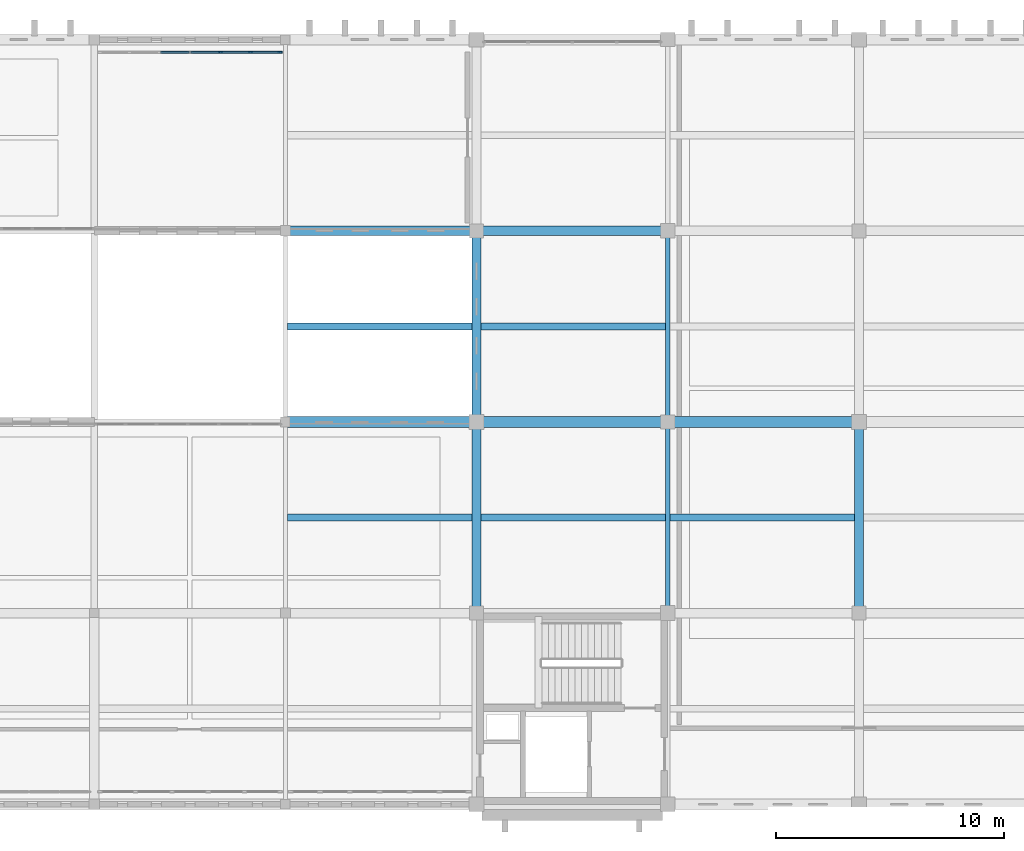
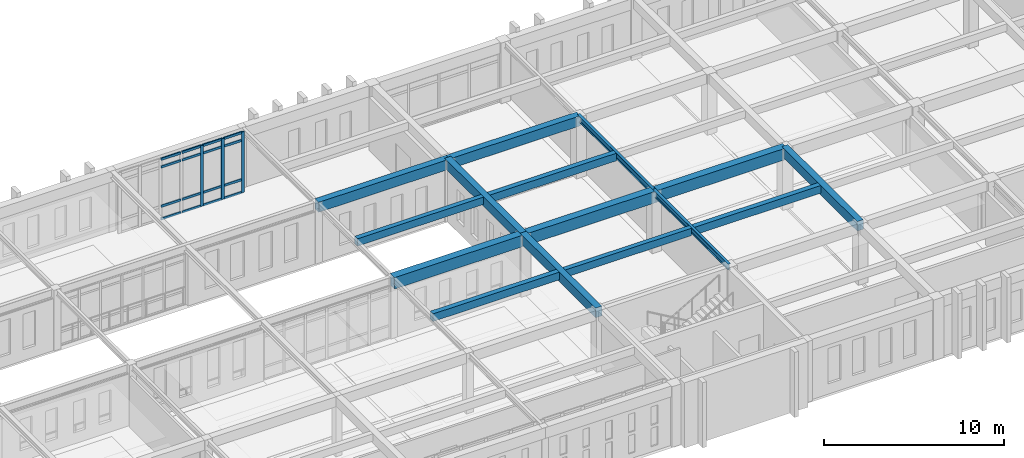
# One storey, part 97 of 192: 19 members, 15 beams, 1 element without a shape of its own.
"""IFC4 building model written with IfcOpenShell, lengths in metres."""

from ifc_helpers import new_model, si_unit, direction, frame, origin, origin_2d, place, context, subcontext, project, spatial, rectangle, i_section, extrude, material, layer, layer_set, material_profile, profile_set, type_object, element, aggregate, save


model = new_model("IFC4")

# Units and contexts
model_context = context("Model", 3, precision=1e-05, world=origin(), true_north=direction((0.0, 1.0)))
body_context = subcontext(model_context, "Body", "Model", "MODEL_VIEW")
ifc_project = project(units=[si_unit("LENGTHUNIT", "METRE"), si_unit("AREAUNIT", "SQUARE_METRE"), si_unit("VOLUMEUNIT", "CUBIC_METRE"), si_unit("PLANEANGLEUNIT", "RADIAN"), si_unit("MASSUNIT", "GRAM", prefix="KILO")], contexts=[model_context])

# Site, building, storey
site_placement = place(None, origin())
site = spatial("IfcSite", under=ifc_project, at=site_placement, CompositionType="ELEMENT")
building_placement = place(site_placement, origin())
building = spatial("IfcBuilding", under=site, at=building_placement, Name="Kveldsbrygga Polytechnic", CompositionType="ELEMENT")
storey_placement = place(building_placement, frame((0.0, 0.0, 5.43994140625)))
storey = spatial("IfcBuildingStorey", under=building, at=storey_placement, Name="L01", CompositionType="ELEMENT", Elevation=5.43994140625)

# Beams
ifc_material_1 = material(Name="Concrete C35/45", Category="concrete")
ifc_material_profile_1 = material_profile(ifc_material_1, rectangle(XDim=0.39990234375, YDim=0.64990234375, at=origin_2d()), Name="RC 400x650")
ifc_profile_set_1 = profile_set([ifc_material_profile_1], Name="Concrete C35/45")
beam_type_1 = type_object("IfcBeamType", Name="BM-RC-400x650", PredefinedType="BEAM", material=ifc_profile_set_1)
beam_1_placement = place(storey_placement, frame((100.800048828125, 92.39990234375, 3.795166015625), z_axis=(0.0, 1.0, 0.0), x_axis=(-1.0, 0.0, 0.0)))
element("IfcBeam", 1, at=beam_1_placement, inside=storey, type_object=beam_type_1, Name="Primary Beam BMY-L01-12-11to12", PredefinedType="BEAM", context=body_context, shape_type="SweptSolid", body=[
    extrude(rectangle(XDim=0.39990234375, YDim=0.64990234375, at=origin_2d()), origin(), (0.0, 0.0, 1.0), 8.400146484375),
])
beam_2_placement = place(storey_placement, frame((100.800048828125, 100.800048828125, 3.795166015625), z_axis=(0.0, 1.0, 0.0), x_axis=(-1.0, 0.0, 0.0)))
element("IfcBeam", 2, at=beam_2_placement, inside=storey, type_object=beam_type_1, Name="Primary Beam BMY-L01-12-12to13", PredefinedType="BEAM", context=body_context, shape_type="SweptSolid", body=[
    extrude(rectangle(XDim=0.39990234375, YDim=0.64990234375, at=origin_2d()), origin(), (0.0, 0.0, 1.0), 8.39990234375),
])
beam_3_placement = place(storey_placement, frame((117.60009765625, 92.39990234375, 3.795166015625), z_axis=(0.0, 1.0, 0.0), x_axis=(-1.0, 0.0, 0.0)))
element("IfcBeam", 3, at=beam_3_placement, inside=storey, type_object=beam_type_1, Name="Primary Beam BMY-L01-14-11to12", PredefinedType="BEAM", context=body_context, shape_type="SweptSolid", body=[
    extrude(rectangle(XDim=0.39990234375, YDim=0.64990234375, at=origin_2d()), origin(), (0.0, 0.0, 1.0), 8.400146484375),
])
ifc_material_profile_2 = material_profile(ifc_material_1, rectangle(XDim=0.419921875, YDim=0.679931640625, at=origin_2d()), Name="RC 420x680")
ifc_profile_set_2 = profile_set([ifc_material_profile_2], Name="Concrete C35/45")
beam_type_2 = type_object("IfcBeamType", Name="BM-RC-420x680", PredefinedType="BEAM", material=ifc_profile_set_2)
beam_4_placement = place(storey_placement, frame((92.39990234375, 109.199951171875, 3.780029296875), z_axis=(1.0, 0.0, 0.0), x_axis=(0.0, 1.0, 0.0)))
element("IfcBeam", 4, at=beam_4_placement, inside=storey, type_object=beam_type_2, Name="Primary Beam BMX-L01-11to12-13", PredefinedType="BEAM", context=body_context, shape_type="SweptSolid", body=[
    extrude(rectangle(XDim=0.419921875, YDim=0.679931640625, at=origin_2d()), origin(), (0.0, 0.0, 1.0), 8.400146484375),
])
beam_5_placement = place(storey_placement, frame((100.800048828125, 109.199951171875, 3.780029296875), z_axis=(1.0, 0.0, 0.0), x_axis=(0.0, 1.0, 0.0)))
element("IfcBeam", 5, at=beam_5_placement, inside=storey, type_object=beam_type_2, Name="Primary Beam BMX-L01-12to13-13", PredefinedType="BEAM", context=body_context, shape_type="SweptSolid", body=[
    extrude(rectangle(XDim=0.419921875, YDim=0.679931640625, at=origin_2d()), origin(), (0.0, 0.0, 1.0), 8.39990234375),
])
ifc_material_profile_3 = material_profile(ifc_material_1, rectangle(XDim=0.47998046875, YDim=0.780029296875, at=origin_2d()), Name="RC 480x780")
ifc_profile_set_3 = profile_set([ifc_material_profile_3], Name="Concrete C35/45")
beam_type_3 = type_object("IfcBeamType", Name="BM-RC-480x780", PredefinedType="BEAM", material=ifc_profile_set_3)
beam_6_placement = place(storey_placement, frame((92.39990234375, 100.800048828125, 3.72998046875), z_axis=(1.0, 0.0, 0.0), x_axis=(0.0, 1.0, 0.0)))
element("IfcBeam", 6, at=beam_6_placement, inside=storey, type_object=beam_type_3, Name="Primary Beam BMX-L01-11to12-12", PredefinedType="BEAM", context=body_context, shape_type="SweptSolid", body=[
    extrude(rectangle(XDim=0.47998046875, YDim=0.780029296875, at=origin_2d()), origin(), (0.0, 0.0, 1.0), 8.400146484375),
])
beam_7_placement = place(storey_placement, frame((100.800048828125, 100.800048828125, 3.72998046875), z_axis=(1.0, 0.0, 0.0), x_axis=(0.0, 1.0, 0.0)))
element("IfcBeam", 7, at=beam_7_placement, inside=storey, type_object=beam_type_3, Name="Primary Beam BMX-L01-12to13-12", PredefinedType="BEAM", context=body_context, shape_type="SweptSolid", body=[
    extrude(rectangle(XDim=0.47998046875, YDim=0.780029296875, at=origin_2d()), origin(), (0.0, 0.0, 1.0), 8.39990234375),
])
beam_8_placement = place(storey_placement, frame((109.199951171875, 100.800048828125, 3.72998046875), z_axis=(1.0, 0.0, 0.0), x_axis=(0.0, 1.0, 0.0)))
element("IfcBeam", 8, at=beam_8_placement, inside=storey, type_object=beam_type_3, Name="Primary Beam BMX-L01-13to14-12", PredefinedType="BEAM", context=body_context, shape_type="SweptSolid", body=[
    extrude(rectangle(XDim=0.47998046875, YDim=0.780029296875, at=origin_2d()), origin(), (0.0, 0.0, 1.0), 8.400146484375),
])
ifc_material_2 = material(Name="Steel S355", Category="steel")
ifc_material_profile_4 = material_profile(ifc_material_2, i_section(OverallWidth=0.179931640625, OverallDepth=0.39990234375, WebThickness=0.008544921875, FlangeThickness=0.013427734375, FilletRadius=0.02099609375, at=origin_2d()), Name="IPE 400")
ifc_profile_set_4 = profile_set([ifc_material_profile_4], Name="Steel S355")
beam_type_4 = type_object("IfcBeamType", Name="BM-STL-IPE400", PredefinedType="BEAM", material=ifc_profile_set_4)
beam_9_placement = place(storey_placement, frame((109.199951171875, 92.39990234375, 3.920166015625), z_axis=(0.0, 1.0, 0.0), x_axis=(-1.0, 0.0, 0.0)))
element("IfcBeam", 9, at=beam_9_placement, inside=storey, type_object=beam_type_4, Name="Primary Beam BMY-L01-13-11to12", PredefinedType="BEAM", context=body_context, shape_type="SweptSolid", body=[
    extrude(i_section(OverallWidth=0.179931640625, OverallDepth=0.39990234375, WebThickness=0.008544921875, FlangeThickness=0.013427734375, FilletRadius=0.02099609375, at=origin_2d()), origin(), (0.0, 0.0, 1.0), 8.400146484375),
])
beam_10_placement = place(storey_placement, frame((109.199951171875, 100.800048828125, 3.920166015625), z_axis=(0.0, 1.0, 0.0), x_axis=(-1.0, 0.0, 0.0)))
element("IfcBeam", 10, at=beam_10_placement, inside=storey, type_object=beam_type_4, Name="Primary Beam BMY-L01-13-12to13", PredefinedType="BEAM", context=body_context, shape_type="SweptSolid", body=[
    extrude(i_section(OverallWidth=0.179931640625, OverallDepth=0.39990234375, WebThickness=0.008544921875, FlangeThickness=0.013427734375, FilletRadius=0.02099609375, at=origin_2d()), origin(), (0.0, 0.0, 1.0), 8.39990234375),
])

# Curtain wall, members
ifc_material_3 = material(Name="Anodised aluminium AW-6060", Category="aluminium")
ifc_layer = layer(ifc_material_3, 0.159912109375)
ifc_layer_set = layer_set([ifc_layer], Name="Anodised aluminium AW-6060")
curtain_wall_type = type_object("IfcCurtainWallType", Name="CW-CLER-C", PredefinedType="USERDEFINED", material=ifc_layer_set)
curtain_wall_placement = place(storey_placement, origin())
curtain_wall = element("IfcCurtainWall", 11, at=curtain_wall_placement, inside=storey, type_object=curtain_wall_type, Name="Curtain Wall CW-L01-X-10-14", ObjectType="STICK CURTAIN WALL", PredefinedType="USERDEFINED")
ifc_material_profile_5 = material_profile(ifc_material_3, rectangle(XDim=0.074951171875, YDim=0.199951171875, at=origin_2d()), Name="ALU 75x200")
ifc_profile_set_5 = profile_set([ifc_material_profile_5], Name="Anodised aluminium AW-6060")
member_type_1 = type_object("IfcMemberType", Name="CW-MUL-200", PredefinedType="MULLION", material=ifc_profile_set_5)
member_1_placement = place(storey_placement, frame((89.5400390625, 117.050048828125, 0.0), z_axis=(0.0, 0.0, 1.0), x_axis=(0.0, 1.0, 0.0)))
member_1 = element("IfcMember", 12, at=member_1_placement, type_object=member_type_1, Name="CW-03 mullion 5", PredefinedType="MULLION", context=body_context, shape_type="SweptSolid", body=[
    extrude(rectangle(XDim=0.074951171875, YDim=0.199951171875, at=origin_2d()), origin(), (0.0, 0.0, 1.0), 4.1201171875),
])
member_2_placement = place(storey_placement, frame((90.87255859375, 117.050048828125, 0.0), z_axis=(0.0, 0.0, 1.0), x_axis=(0.0, 1.0, 0.0)))
member_2 = element("IfcMember", 13, at=member_2_placement, type_object=member_type_1, Name="CW-03 mullion 6", PredefinedType="MULLION", context=body_context, shape_type="SweptSolid", body=[
    extrude(rectangle(XDim=0.074951171875, YDim=0.199951171875, at=origin_2d()), origin(), (0.0, 0.0, 1.0), 4.1201171875),
])
member_3_placement = place(storey_placement, frame((92.16748046875, 117.050048828125, 0.0), z_axis=(0.0, 0.0, 1.0), x_axis=(0.0, 1.0, 0.0)))
member_3 = element("IfcMember", 14, at=member_3_placement, type_object=member_type_1, Name="CW-03 mullion 7", PredefinedType="MULLION", context=body_context, shape_type="SweptSolid", body=[
    extrude(rectangle(XDim=0.074951171875, YDim=0.199951171875, at=origin_2d()), origin(), (0.0, 0.0, 1.0), 4.1201171875),
])
ifc_material_profile_6 = material_profile(ifc_material_3, rectangle(XDim=0.074951171875, YDim=0.159912109375, at=origin_2d()), Name="ALU 75x160")
ifc_profile_set_6 = profile_set([ifc_material_profile_6], Name="Anodised aluminium AW-6060")
member_type_2 = type_object("IfcMemberType", Name="CW-TRN-160", PredefinedType="USERDEFINED", material=ifc_profile_set_6)
member_4_placement = place(storey_placement, frame((86.91259765625, 117.050048828125, 0.03759765625), z_axis=(1.0, 0.0, 0.0), x_axis=(0.0, 1.0, 0.0)))
member_4 = element("IfcMember", 15, at=member_4_placement, type_object=member_type_2, Name="CW-03 transom 3.1", ObjectType="TRANSOM", PredefinedType="USERDEFINED", context=body_context, shape_type="SweptSolid", body=[
    extrude(rectangle(XDim=0.074951171875, YDim=0.159912109375, at=origin_2d()), origin(), (0.0, 0.0, 1.0), 1.25732421875),
])
member_5_placement = place(storey_placement, frame((86.91259765625, 117.050048828125, 0.900146484375), z_axis=(1.0, 0.0, 0.0), x_axis=(0.0, 1.0, 0.0)))
member_5 = element("IfcMember", 16, at=member_5_placement, type_object=member_type_2, Name="CW-03 transom 3.2", ObjectType="TRANSOM", PredefinedType="USERDEFINED", context=body_context, shape_type="SweptSolid", body=[
    extrude(rectangle(XDim=0.074951171875, YDim=0.159912109375, at=origin_2d()), origin(), (0.0, 0.0, 1.0), 1.25732421875),
])
member_6_placement = place(storey_placement, frame((86.91259765625, 117.050048828125, 3.570068359375), z_axis=(1.0, 0.0, 0.0), x_axis=(0.0, 1.0, 0.0)))
member_6 = element("IfcMember", 17, at=member_6_placement, type_object=member_type_2, Name="CW-03 transom 3.3", ObjectType="TRANSOM", PredefinedType="USERDEFINED", context=body_context, shape_type="SweptSolid", body=[
    extrude(rectangle(XDim=0.074951171875, YDim=0.159912109375, at=origin_2d()), origin(), (0.0, 0.0, 1.0), 1.25732421875),
])
member_7_placement = place(storey_placement, frame((86.91259765625, 117.050048828125, 4.08251953125), z_axis=(1.0, 0.0, 0.0), x_axis=(0.0, 1.0, 0.0)))
member_7 = element("IfcMember", 18, at=member_7_placement, type_object=member_type_2, Name="CW-03 transom 3.4", ObjectType="TRANSOM", PredefinedType="USERDEFINED", context=body_context, shape_type="SweptSolid", body=[
    extrude(rectangle(XDim=0.074951171875, YDim=0.159912109375, at=origin_2d()), origin(), (0.0, 0.0, 1.0), 1.25732421875),
])
member_8_placement = place(storey_placement, frame((88.2451171875, 117.050048828125, 0.03759765625), z_axis=(1.0, 0.0, 0.0), x_axis=(0.0, 1.0, 0.0)))
member_8 = element("IfcMember", 19, at=member_8_placement, type_object=member_type_2, Name="CW-03 transom 4.1", ObjectType="TRANSOM", PredefinedType="USERDEFINED", context=body_context, shape_type="SweptSolid", body=[
    extrude(rectangle(XDim=0.074951171875, YDim=0.159912109375, at=origin_2d()), origin(), (0.0, 0.0, 1.0), 1.25732421875),
])
member_9_placement = place(storey_placement, frame((88.2451171875, 117.050048828125, 0.900146484375), z_axis=(1.0, 0.0, 0.0), x_axis=(0.0, 1.0, 0.0)))
member_9 = element("IfcMember", 20, at=member_9_placement, type_object=member_type_2, Name="CW-03 transom 4.2", ObjectType="TRANSOM", PredefinedType="USERDEFINED", context=body_context, shape_type="SweptSolid", body=[
    extrude(rectangle(XDim=0.074951171875, YDim=0.159912109375, at=origin_2d()), origin(), (0.0, 0.0, 1.0), 1.25732421875),
])
member_10_placement = place(storey_placement, frame((88.2451171875, 117.050048828125, 3.570068359375), z_axis=(1.0, 0.0, 0.0), x_axis=(0.0, 1.0, 0.0)))
member_10 = element("IfcMember", 21, at=member_10_placement, type_object=member_type_2, Name="CW-03 transom 4.3", ObjectType="TRANSOM", PredefinedType="USERDEFINED", context=body_context, shape_type="SweptSolid", body=[
    extrude(rectangle(XDim=0.074951171875, YDim=0.159912109375, at=origin_2d()), origin(), (0.0, 0.0, 1.0), 1.25732421875),
])
member_11_placement = place(storey_placement, frame((88.2451171875, 117.050048828125, 4.08251953125), z_axis=(1.0, 0.0, 0.0), x_axis=(0.0, 1.0, 0.0)))
member_11 = element("IfcMember", 22, at=member_11_placement, type_object=member_type_2, Name="CW-03 transom 4.4", ObjectType="TRANSOM", PredefinedType="USERDEFINED", context=body_context, shape_type="SweptSolid", body=[
    extrude(rectangle(XDim=0.074951171875, YDim=0.159912109375, at=origin_2d()), origin(), (0.0, 0.0, 1.0), 1.25732421875),
])
member_12_placement = place(storey_placement, frame((89.577392578125, 117.050048828125, 0.03759765625), z_axis=(1.0, 0.0, 0.0), x_axis=(0.0, 1.0, 0.0)))
member_12 = element("IfcMember", 23, at=member_12_placement, type_object=member_type_2, Name="CW-03 transom 5.1", ObjectType="TRANSOM", PredefinedType="USERDEFINED", context=body_context, shape_type="SweptSolid", body=[
    extrude(rectangle(XDim=0.074951171875, YDim=0.159912109375, at=origin_2d()), origin(), (0.0, 0.0, 1.0), 1.257568359375),
])
member_13_placement = place(storey_placement, frame((89.577392578125, 117.050048828125, 0.900146484375), z_axis=(1.0, 0.0, 0.0), x_axis=(0.0, 1.0, 0.0)))
member_13 = element("IfcMember", 24, at=member_13_placement, type_object=member_type_2, Name="CW-03 transom 5.2", ObjectType="TRANSOM", PredefinedType="USERDEFINED", context=body_context, shape_type="SweptSolid", body=[
    extrude(rectangle(XDim=0.074951171875, YDim=0.159912109375, at=origin_2d()), origin(), (0.0, 0.0, 1.0), 1.257568359375),
])
member_14_placement = place(storey_placement, frame((89.577392578125, 117.050048828125, 3.570068359375), z_axis=(1.0, 0.0, 0.0), x_axis=(0.0, 1.0, 0.0)))
member_14 = element("IfcMember", 25, at=member_14_placement, type_object=member_type_2, Name="CW-03 transom 5.3", ObjectType="TRANSOM", PredefinedType="USERDEFINED", context=body_context, shape_type="SweptSolid", body=[
    extrude(rectangle(XDim=0.074951171875, YDim=0.159912109375, at=origin_2d()), origin(), (0.0, 0.0, 1.0), 1.257568359375),
])
member_15_placement = place(storey_placement, frame((89.577392578125, 117.050048828125, 4.08251953125), z_axis=(1.0, 0.0, 0.0), x_axis=(0.0, 1.0, 0.0)))
member_15 = element("IfcMember", 26, at=member_15_placement, type_object=member_type_2, Name="CW-03 transom 5.4", ObjectType="TRANSOM", PredefinedType="USERDEFINED", context=body_context, shape_type="SweptSolid", body=[
    extrude(rectangle(XDim=0.074951171875, YDim=0.159912109375, at=origin_2d()), origin(), (0.0, 0.0, 1.0), 1.257568359375),
])
member_16_placement = place(storey_placement, frame((90.909912109375, 117.050048828125, 0.03759765625), z_axis=(1.0, 0.0, 0.0), x_axis=(0.0, 1.0, 0.0)))
member_16 = element("IfcMember", 27, at=member_16_placement, type_object=member_type_2, Name="CW-03 transom 6.1", ObjectType="TRANSOM", PredefinedType="USERDEFINED", context=body_context, shape_type="SweptSolid", body=[
    extrude(rectangle(XDim=0.074951171875, YDim=0.159912109375, at=origin_2d()), origin(), (0.0, 0.0, 1.0), 1.219970703125),
])
member_17_placement = place(storey_placement, frame((90.909912109375, 117.050048828125, 0.900146484375), z_axis=(1.0, 0.0, 0.0), x_axis=(0.0, 1.0, 0.0)))
member_17 = element("IfcMember", 28, at=member_17_placement, type_object=member_type_2, Name="CW-03 transom 6.2", ObjectType="TRANSOM", PredefinedType="USERDEFINED", context=body_context, shape_type="SweptSolid", body=[
    extrude(rectangle(XDim=0.074951171875, YDim=0.159912109375, at=origin_2d()), origin(), (0.0, 0.0, 1.0), 1.219970703125),
])
member_18_placement = place(storey_placement, frame((90.909912109375, 117.050048828125, 3.570068359375), z_axis=(1.0, 0.0, 0.0), x_axis=(0.0, 1.0, 0.0)))
member_18 = element("IfcMember", 29, at=member_18_placement, type_object=member_type_2, Name="CW-03 transom 6.3", ObjectType="TRANSOM", PredefinedType="USERDEFINED", context=body_context, shape_type="SweptSolid", body=[
    extrude(rectangle(XDim=0.074951171875, YDim=0.159912109375, at=origin_2d()), origin(), (0.0, 0.0, 1.0), 1.219970703125),
])
member_19_placement = place(storey_placement, frame((90.909912109375, 117.050048828125, 4.08251953125), z_axis=(1.0, 0.0, 0.0), x_axis=(0.0, 1.0, 0.0)))
member_19 = element("IfcMember", 30, at=member_19_placement, type_object=member_type_2, Name="CW-03 transom 6.4", ObjectType="TRANSOM", PredefinedType="USERDEFINED", context=body_context, shape_type="SweptSolid", body=[
    extrude(rectangle(XDim=0.074951171875, YDim=0.159912109375, at=origin_2d()), origin(), (0.0, 0.0, 1.0), 1.219970703125),
])
aggregate(curtain_wall, [member_1, member_2, member_3, member_4, member_5, member_6, member_7, member_8, member_9, member_10, member_11, member_12, member_13, member_14, member_15, member_16, member_17, member_18, member_19])

# Beams
ifc_material_profile_7 = material_profile(ifc_material_1, rectangle(XDim=0.300048828125, YDim=0.5, at=origin_2d()), Name="RC 300x500")
ifc_profile_set_7 = profile_set([ifc_material_profile_7], Name="Concrete C35/45")
beam_type_5 = type_object("IfcBeamType", Name="JST-RC-300x500", PredefinedType="JOIST", material=ifc_profile_set_7)
for number, where, z_axis, x_axis, name in (
    (31, (92.489990234375, 105.0, 3.8701171875), (1.0, 0.0, 0.0), (0.0, 1.0, 0.0), "Secondary Joist JST-L01-11-12"),
    (32, (101.0, 96.60009765625, 3.8701171875), (1.0, 0.0, 0.0), (0.0, 1.0, 0.0), "Secondary Joist JST-L01-12-11"),
):
    element("IfcBeam", number, at=place(storey_placement, frame(where, z_axis=z_axis, x_axis=x_axis)), inside=storey, type_object=beam_type_5, Name=name, PredefinedType="JOIST", context=body_context, shape_type="SweptSolid", body=[
        extrude(rectangle(XDim=0.300048828125, YDim=0.5, at=origin_2d()), origin(), (0.0, 0.0, 1.0), 8.110107421875),
    ])
ifc_material_profile_8 = material_profile(ifc_material_1, rectangle(XDim=0.320068359375, YDim=0.52001953125, at=origin_2d()), Name="RC 320x520")
ifc_profile_set_8 = profile_set([ifc_material_profile_8], Name="Concrete C35/45")
beam_type_6 = type_object("IfcBeamType", Name="JST-RC-320x520", PredefinedType="JOIST", material=ifc_profile_set_8)
for number, where, z_axis, x_axis, name in (
    (33, (92.489990234375, 96.60009765625, 3.860107421875), (1.0, 0.0, 0.0), (0.0, 1.0, 0.0), "Secondary Joist JST-L01-11-11"),
    (34, (101.0, 105.0, 3.860107421875), (1.0, 0.0, 0.0), (0.0, 1.0, 0.0), "Secondary Joist JST-L01-12-12"),
):
    element("IfcBeam", number, at=place(storey_placement, frame(where, z_axis=z_axis, x_axis=x_axis)), inside=storey, type_object=beam_type_6, Name=name, PredefinedType="JOIST", context=body_context, shape_type="SweptSolid", body=[
        extrude(rectangle(XDim=0.320068359375, YDim=0.52001953125, at=origin_2d()), origin(), (0.0, 0.0, 1.0), 8.110107421875),
    ])
beam_11_placement = place(storey_placement, frame((109.2900390625, 96.60009765625, 3.860107421875), z_axis=(1.0, 0.0, 0.0), x_axis=(0.0, 1.0, 0.0)))
element("IfcBeam", 35, at=beam_11_placement, inside=storey, type_object=beam_type_6, Name="Secondary Joist JST-L01-13-11", PredefinedType="JOIST", context=body_context, shape_type="SweptSolid", body=[
    extrude(rectangle(XDim=0.320068359375, YDim=0.52001953125, at=origin_2d()), origin(), (0.0, 0.0, 1.0), 8.10986328125),
])

save(model, "model.ifc")
